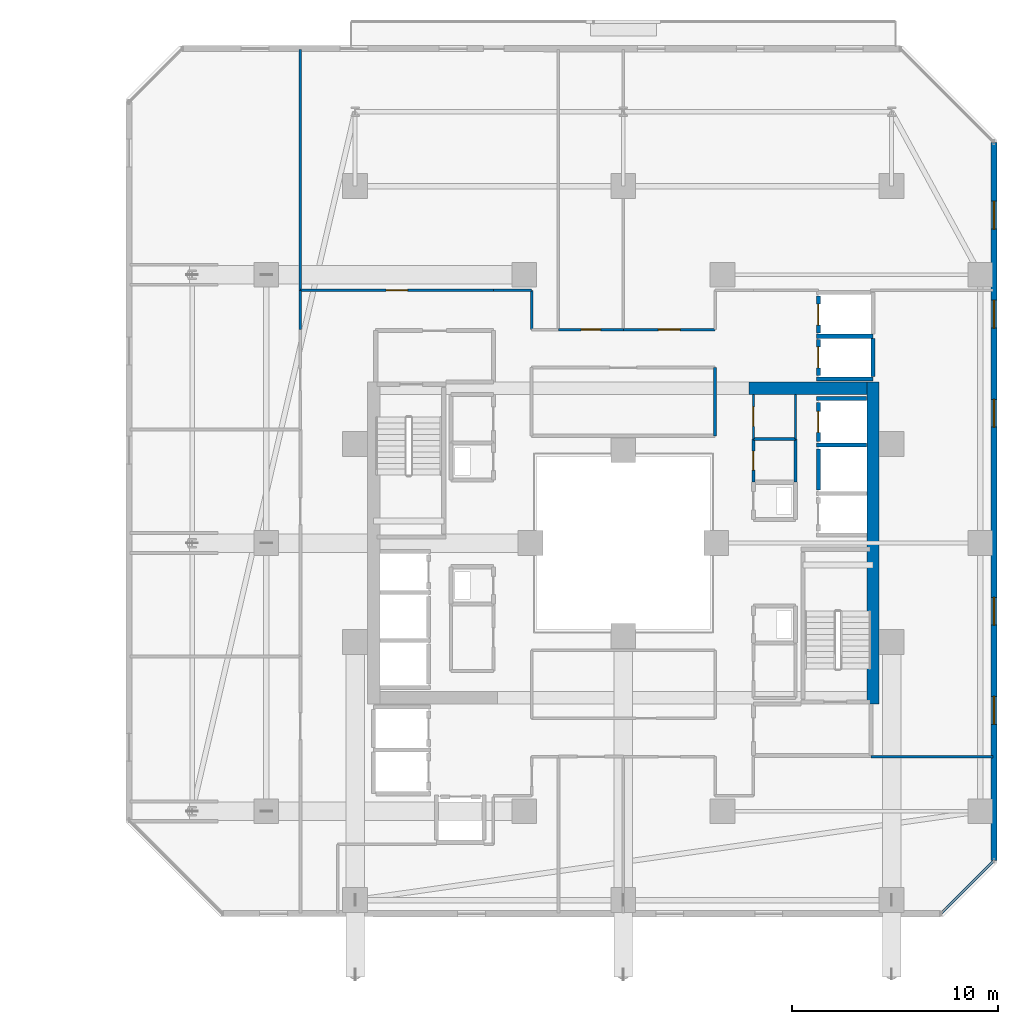
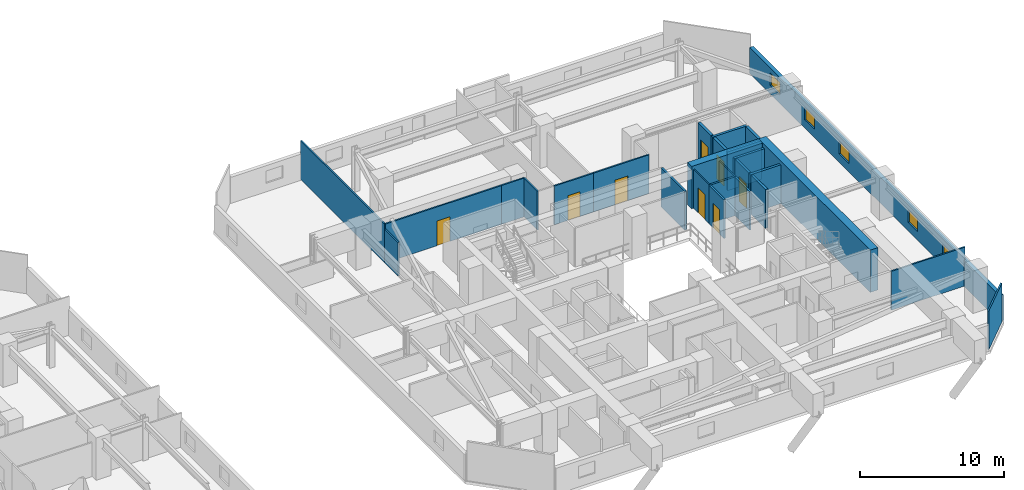
# One storey, part 28 of 36: 27 walls, 8 doors, 5 windows, 13 openings.
"""IFC4 building model written with IfcOpenShell, lengths in metres."""

from ifc_helpers import new_model, si_unit, direction, frame, frame_2d, origin, place, context, subcontext, project, spatial, rectangle, extrude, material, layer, layer_set, type_object, element, fill, save


model = new_model("IFC4")

# Units and contexts
model_context = context("Model", 3, precision=1e-05, world=origin(), true_north=direction((0.0, 1.0)))
body_context = subcontext(model_context, "Body", "Model", "MODEL_VIEW")
ifc_project = project(units=[si_unit("LENGTHUNIT", "METRE"), si_unit("AREAUNIT", "SQUARE_METRE"), si_unit("VOLUMEUNIT", "CUBIC_METRE"), si_unit("PLANEANGLEUNIT", "RADIAN"), si_unit("MASSUNIT", "GRAM", prefix="KILO")], contexts=[model_context])

# Site, building, storey
site_placement = place(None, origin())
site = spatial("IfcSite", under=ifc_project, at=site_placement, CompositionType="ELEMENT")
building_placement = place(site_placement, origin())
building = spatial("IfcBuilding", under=site, at=building_placement, Name="Thornwick Lancets Civic Towers", CompositionType="ELEMENT")
storey_placement = place(building_placement, frame((0.0, 0.0, 94.5)))
storey = spatial("IfcBuildingStorey", under=building, at=storey_placement, Name="L24", CompositionType="ELEMENT", Elevation=94.5)

# Wall
ifc_material_1 = material(Name="Concrete blockwork C40/50", Category="masonry")
ifc_layer_1 = layer(ifc_material_1, 0.199951171875, Name="Concrete blockwork C40/50")
ifc_layer_set_1 = layer_set([ifc_layer_1], Name="Concrete blockwork C40/50")
wall_type_1 = type_object("IfcWallType", Name="WALL_COMP_200", PredefinedType="STANDARD", material=ifc_layer_set_1)
wall_1_placement = place(storey_placement, frame((97.949951171875, 31.570068359375, 0.0), z_axis=(0.0, 0.0, 1.0), x_axis=(0.0, -1.0, 0.0)))
element("IfcWall", 1, at=wall_1_placement, inside=storey, type_object=wall_type_1, Name="L24 Hoistway Front Wall PL-BH1", PredefinedType="STANDARD", context=body_context, shape_type="SweptSolid", body=[
    extrude(rectangle(XDim=1.989990234375, YDim=0.199951171875, at=frame_2d((0.9951171875, 0.0))), origin(), (0.0, 0.0, 1.0), 3.300048828125),
])

# Wall, opening, door
wall_2_placement = place(storey_placement, frame((97.949951171875, 33.820068359375, 0.0), z_axis=(0.0, 0.0, 1.0), x_axis=(0.0, -1.0, 0.0)))
wall_2 = element("IfcWall", 2, at=wall_2_placement, inside=storey, type_object=wall_type_1, Name="L24 Hoistway Front Wall PL-BL1", PredefinedType="STANDARD", context=body_context, shape_type="SweptSolid", body=[
    extrude(rectangle(XDim=1.89013671875, YDim=0.199951171875, at=frame_2d((0.945068359375, 0.0))), origin(), (0.0, 0.0, 1.0), 3.300048828125),
])
opening_1_placement = place(wall_2_placement, frame((0.43505859375, 0.0, 0.0)))
opening_1 = element("IfcOpeningElement", 3, at=opening_1_placement, cuts=wall_2, Name="Opening LD-PL-BL1", PredefinedType="OPENING", context=body_context, shape_type="SweptSolid", body=[
    extrude(rectangle(XDim=1.02001953125, YDim=2.06005859375, at=frame_2d((0.510009765625, 1.030029296875))), frame((0.0, 0.10986328125, 0.0), z_axis=(0.0, -1.0, 0.0), x_axis=(1.0, 0.0, 0.0)), (0.0, 0.0, 1.0), 0.219970703125),
])
ifc_material_2 = material(Name="Brushed bronze stainless steel", Category="steel")
door_type_1 = type_object("IfcDoorType", Name="DOOR_LIFT_SLIDE", OperationType="SLIDING_TO_LEFT", PredefinedType="DOOR", material=ifc_material_2)
door_1_placement = place(opening_1_placement, origin())
door_1 = element("IfcDoor", 4, at=door_1_placement, inside=storey, type_object=door_type_1, Name="L24 Sliding Lift Landing Door LD-PL-BL1", OperationType="SLIDING_TO_LEFT", OverallHeight=2.06005859375, OverallWidth=1.02001953125, PredefinedType="DOOR", context=body_context, shape_type="SweptSolid", body=[
    extrude(rectangle(XDim=1.02001953125, YDim=2.06005859375, at=frame_2d((0.510009765625, 1.030029296875))), frame((0.0, 0.02490234375, 0.0), z_axis=(0.0, -1.0, 0.0), x_axis=(1.0, 0.0, 0.0)), (0.0, 0.0, 1.0), 0.050048828125),
])
fill(opening_1, door_1)

wall_3_placement = place(storey_placement, frame((97.949951171875, 36.8701171875, 0.0), z_axis=(0.0, 0.0, 1.0), x_axis=(0.0, -1.0, 0.0)))
wall_3 = element("IfcWall", 5, at=wall_3_placement, inside=storey, type_object=wall_type_1, Name="L24 Hoistway Front Wall PL-BL2", PredefinedType="STANDARD", context=body_context, shape_type="SweptSolid", body=[
    extrude(rectangle(XDim=1.740234375, YDim=0.199951171875, at=frame_2d((0.8701171875, 0.0))), origin(), (0.0, 0.0, 1.0), 3.300048828125),
])
opening_2_placement = place(wall_3_placement, frame((0.360107421875, 0.0, 0.0)))
opening_2 = element("IfcOpeningElement", 6, at=opening_2_placement, cuts=wall_3, Name="Opening LD-PL-BL2", PredefinedType="OPENING", context=body_context, shape_type="SweptSolid", body=[
    extrude(rectangle(XDim=1.02001953125, YDim=2.06005859375, at=frame_2d((0.510009765625, 1.030029296875))), frame((0.0, 0.10986328125, 0.0), z_axis=(0.0, -1.0, 0.0), x_axis=(1.0, 0.0, 0.0)), (0.0, 0.0, 1.0), 0.219970703125),
])
door_2_placement = place(opening_2_placement, origin())
door_2 = element("IfcDoor", 7, at=door_2_placement, inside=storey, type_object=door_type_1, Name="L24 Sliding Lift Landing Door LD-PL-BL2", OperationType="SLIDING_TO_LEFT", OverallHeight=2.06005859375, OverallWidth=1.02001953125, PredefinedType="DOOR", context=body_context, shape_type="SweptSolid", body=[
    extrude(rectangle(XDim=1.02001953125, YDim=2.06005859375, at=frame_2d((0.510009765625, 1.030029296875))), frame((0.0, 0.02490234375, 0.0), z_axis=(0.0, -1.0, 0.0), x_axis=(1.0, 0.0, 0.0)), (0.0, 0.0, 1.0), 0.050048828125),
])
fill(opening_2, door_2)

wall_4_placement = place(storey_placement, frame((97.949951171875, 38.969970703125, 0.0), z_axis=(0.0, 0.0, 1.0), x_axis=(0.0, -1.0, 0.0)))
wall_4 = element("IfcWall", 8, at=wall_4_placement, inside=storey, type_object=wall_type_1, Name="L24 Hoistway Front Wall PL-BL3", PredefinedType="STANDARD", context=body_context, shape_type="SweptSolid", body=[
    extrude(rectangle(XDim=1.7900390625, YDim=0.199951171875, at=frame_2d((0.89501953125, 0.0))), origin(), (0.0, 0.0, 1.0), 3.300048828125),
])
opening_3_placement = place(wall_4_placement, frame((0.385009765625, 0.0, 0.0)))
opening_3 = element("IfcOpeningElement", 9, at=opening_3_placement, cuts=wall_4, Name="Opening LD-PL-BL3", PredefinedType="OPENING", context=body_context, shape_type="SweptSolid", body=[
    extrude(rectangle(XDim=1.02001953125, YDim=2.06005859375, at=frame_2d((0.510009765625, 1.030029296875))), frame((0.0, 0.10986328125, 0.0), z_axis=(0.0, -1.0, 0.0), x_axis=(1.0, 0.0, 0.0)), (0.0, 0.0, 1.0), 0.219970703125),
])
door_3_placement = place(opening_3_placement, origin())
door_3 = element("IfcDoor", 10, at=door_3_placement, inside=storey, type_object=door_type_1, Name="L24 Sliding Lift Landing Door LD-PL-BL3", OperationType="SLIDING_TO_LEFT", OverallHeight=2.06005859375, OverallWidth=1.02001953125, PredefinedType="DOOR", context=body_context, shape_type="SweptSolid", body=[
    extrude(rectangle(XDim=1.02001953125, YDim=2.06005859375, at=frame_2d((0.510009765625, 1.030029296875))), frame((0.0, 0.02490234375, 0.0), z_axis=(0.0, -1.0, 0.0), x_axis=(1.0, 0.0, 0.0)), (0.0, 0.0, 1.0), 0.050048828125),
])
fill(opening_3, door_3)

# Walls
for number, where, z_axis, x_axis, name in (
    (11, (97.85205078125, 31.75, 0.0), (0.0, 0.0, 1.0), (1.0, 0.0, 0.0), "L24 Hoistway Shaft Wall PL-BH1 N"),
    (12, (97.85205078125, 34.0, 0.0), (0.0, 0.0, 1.0), (1.0, 0.0, 0.0), "L24 Hoistway Shaft Wall PL-BL1 N"),
):
    element("IfcWall", number, at=place(storey_placement, frame(where, z_axis=z_axis, x_axis=x_axis)), inside=storey, type_object=wall_type_1, Name=name, PredefinedType="STANDARD", context=body_context, shape_type="SweptSolid", body=[
        extrude(rectangle(XDim=2.43603515625, YDim=0.199951171875, at=frame_2d((1.218017578125, 0.0))), origin(), (0.0, 0.0, 1.0), 3.300048828125),
    ])
for number, where, z_axis, x_axis, name in (
    (13, (97.85205078125, 37.02490234375, 0.0), (0.0, 0.0, 1.0), (1.0, 0.0, 0.0), "L24 Hoistway Shaft Wall PL-BL2 N"),
    (14, (97.85205078125, 34.949951171875, 0.0), (0.0, 0.0, 1.0), (1.0, 0.0, 0.0), "L24 Hoistway Shaft Wall PL-BL2 S"),
):
    element("IfcWall", number, at=place(storey_placement, frame(where, z_axis=z_axis, x_axis=x_axis)), inside=storey, type_object=wall_type_1, Name=name, PredefinedType="STANDARD", context=body_context, shape_type="SweptSolid", body=[
        extrude(rectangle(XDim=2.745849609375, YDim=0.199951171875, at=frame_2d((1.373046875, 0.0))), origin(), (0.0, 0.0, 1.0), 3.300048828125),
    ])
wall_5_placement = place(storey_placement, frame((100.60009765625, 35.06201171875, 0.0), z_axis=(0.0, 0.0, 1.0), x_axis=(0.0, 1.0, 0.0)))
element("IfcWall", 15, at=wall_5_placement, inside=storey, type_object=wall_type_1, Name="L24 Hoistway Shaft Wall PL-BL2 E", PredefinedType="STANDARD", context=body_context, shape_type="SweptSolid", body=[
    extrude(rectangle(XDim=1.85595703125, YDim=0.199951171875, at=frame_2d((0.927978515625, 0.0))), origin(), (0.0, 0.0, 1.0), 3.300048828125),
])
ifc_material_3 = material(Name="Concrete C60/75", Category="concrete")
ifc_layer_2 = layer(ifc_material_3, 0.60009765625, Name="Concrete C60/75")
ifc_layer_set_2 = layer_set([ifc_layer_2], Name="Concrete C60/75")
wall_type_2 = type_object("IfcWallType", Name="WALL_CORE_600", PredefinedType="SHEAR", material=ifc_layer_set_2)
wall_6_placement = place(storey_placement, frame((100.60009765625, 19.199951171875, 0.0), z_axis=(0.0, 0.0, 1.0), x_axis=(0.0, 1.0, 0.0)))
element("IfcWall", 16, at=wall_6_placement, inside=storey, type_object=wall_type_2, Name="L24 Split Core B1 Shear Wall E", PredefinedType="SHEAR", context=body_context, shape_type="SweptSolid", body=[
    extrude(rectangle(XDim=15.60009765625, YDim=0.60009765625, at=frame_2d((7.800048828125, 0.0))), origin(), (0.0, 0.0, 1.0), 3.60009765625),
])
wall_7_placement = place(storey_placement, frame((94.60009765625, 34.5, 0.0), z_axis=(0.0, 0.0, 1.0), x_axis=(1.0, 0.0, 0.0)))
element("IfcWall", 17, at=wall_7_placement, inside=storey, type_object=wall_type_2, Name="L24 Split Core B1 Shear Wall N", PredefinedType="SHEAR", context=body_context, shape_type="SweptSolid", body=[
    extrude(rectangle(XDim=5.699951171875, YDim=0.60009765625, at=frame_2d((2.85009765625, 0.0))), origin(), (0.0, 0.0, 1.0), 3.60009765625),
])

# Wall, openings, windows
ifc_material_4 = material(Name="Insulated russet terracotta rainscreen on concrete C40/50", Category="masonry")
ifc_layer_3 = layer(ifc_material_4, 0.300048828125, Name="Insulated russet terracotta rainscreen on concrete C40/50")
ifc_layer_set_3 = layer_set([ifc_layer_3], Name="Insulated russet terracotta rainscreen on concrete C40/50")
wall_type_3 = type_object("IfcWallType", Name="WALL_EXT_RUSSET_300", PredefinedType="STANDARD", material=ifc_layer_set_3)
wall_8_placement = place(storey_placement, frame((106.464599609375, 11.61865234375, 0.0), z_axis=(0.0, 0.0, 1.0), x_axis=(-0.000182370391, 0.999999983371, 0.0)))
wall_8 = element("IfcWall", 18, at=wall_8_placement, inside=storey, type_object=wall_type_3, Name="L24 Tower B Terracotta Facade Wall E2", PredefinedType="STANDARD", context=body_context, shape_type="SweptSolid", body=[
    extrude(rectangle(XDim=34.806396484375, YDim=0.300048828125, at=frame_2d((17.4033203125, 0.0))), origin(), (0.0, 0.0, 1.0), 2.219970703125),
])
opening_4_placement = place(wall_8_placement, frame((6.60009765625, 0.0, 0.719970703125)))
opening_4 = element("IfcOpeningElement", 19, at=opening_4_placement, cuts=wall_8, Name="Opening WL-03", PredefinedType="OPENING", context=body_context, shape_type="SweptSolid", body=[
    extrude(rectangle(XDim=1.35009765625, YDim=1.050048828125, at=frame_2d((0.675048828125, 0.52490234375))), frame((0.0, 0.16015625, 0.0), z_axis=(0.0, -1.0, 0.0), x_axis=(1.0, 0.0, 0.0)), (0.0, 0.0, 1.0), 0.320068359375),
])
opening_5_placement = place(wall_8_placement, frame((11.39990234375, 0.0, 0.719970703125)))
opening_5 = element("IfcOpeningElement", 20, at=opening_5_placement, cuts=wall_8, Name="Opening WL-03", PredefinedType="OPENING", context=body_context, shape_type="SweptSolid", body=[
    extrude(rectangle(XDim=1.35009765625, YDim=1.050048828125, at=frame_2d((0.675048828125, 0.52490234375))), frame((0.0, 0.16015625, 0.0), z_axis=(0.0, -1.0, 0.0), x_axis=(1.0, 0.0, 0.0)), (0.0, 0.0, 1.0), 0.320068359375),
])
opening_6_placement = place(wall_8_placement, frame((21.0, 0.0, 0.719970703125)))
opening_6 = element("IfcOpeningElement", 21, at=opening_6_placement, cuts=wall_8, Name="Opening WL-03", PredefinedType="OPENING", context=body_context, shape_type="SweptSolid", body=[
    extrude(rectangle(XDim=1.35009765625, YDim=1.050048828125, at=frame_2d((0.675048828125, 0.52490234375))), frame((0.0, 0.16015625, 0.0), z_axis=(0.0, -1.0, 0.0), x_axis=(1.0, 0.0, 0.0)), (0.0, 0.0, 1.0), 0.320068359375),
])
opening_7_placement = place(wall_8_placement, frame((25.800048828125, 0.0, 0.719970703125)))
opening_7 = element("IfcOpeningElement", 22, at=opening_7_placement, cuts=wall_8, Name="Opening WL-03", PredefinedType="OPENING", context=body_context, shape_type="SweptSolid", body=[
    extrude(rectangle(XDim=1.35009765625, YDim=1.050048828125, at=frame_2d((0.675048828125, 0.52490234375))), frame((0.0, 0.16015625, 0.0), z_axis=(0.0, -1.0, 0.0), x_axis=(1.0, 0.0, 0.0)), (0.0, 0.0, 1.0), 0.320068359375),
])
opening_8_placement = place(wall_8_placement, frame((30.60009765625, 0.0, 0.719970703125)))
opening_8 = element("IfcOpeningElement", 23, at=opening_8_placement, cuts=wall_8, Name="Opening WL-03", PredefinedType="OPENING", context=body_context, shape_type="SweptSolid", body=[
    extrude(rectangle(XDim=1.35009765625, YDim=1.050048828125, at=frame_2d((0.675048828125, 0.52490234375))), frame((0.0, 0.16015625, 0.0), z_axis=(0.0, -1.0, 0.0), x_axis=(1.0, 0.0, 0.0)), (0.0, 0.0, 1.0), 0.320068359375),
])
ifc_material_5 = material(Name="Clear low-e double glazing clerestory lancet", Category="glass")
window_type = type_object("IfcWindowType", Name="WIN_LANCET_1350", PartitioningType="SINGLE_PANEL", PredefinedType="WINDOW", material=ifc_material_5)
window_1_placement = place(opening_4_placement, origin())
window_1 = element("IfcWindow", 24, at=window_1_placement, inside=storey, type_object=window_type, Name="L24 Tower B Staggered Lancet Window E2-1", OverallHeight=1.050048828125, OverallWidth=1.35009765625, PartitioningType="SINGLE_PANEL", PredefinedType="WINDOW", context=body_context, shape_type="SweptSolid", body=[
    extrude(rectangle(XDim=1.35009765625, YDim=1.050048828125, at=frame_2d((0.675048828125, 0.52490234375))), frame((0.0, 0.030029296875, 0.0), z_axis=(0.0, -1.0, 0.0), x_axis=(1.0, 0.0, 0.0)), (0.0, 0.0, 1.0), 0.06005859375),
])
fill(opening_4, window_1)
window_2_placement = place(opening_5_placement, origin())
window_2 = element("IfcWindow", 25, at=window_2_placement, inside=storey, type_object=window_type, Name="L24 Tower B Staggered Lancet Window E2-2", OverallHeight=1.050048828125, OverallWidth=1.35009765625, PartitioningType="SINGLE_PANEL", PredefinedType="WINDOW", context=body_context, shape_type="SweptSolid", body=[
    extrude(rectangle(XDim=1.35009765625, YDim=1.050048828125, at=frame_2d((0.675048828125, 0.52490234375))), frame((0.0, 0.030029296875, 0.0), z_axis=(0.0, -1.0, 0.0), x_axis=(1.0, 0.0, 0.0)), (0.0, 0.0, 1.0), 0.06005859375),
])
fill(opening_5, window_2)
window_3_placement = place(opening_6_placement, origin())
window_3 = element("IfcWindow", 26, at=window_3_placement, inside=storey, type_object=window_type, Name="L24 Tower B Staggered Lancet Window E2-3", OverallHeight=1.050048828125, OverallWidth=1.35009765625, PartitioningType="SINGLE_PANEL", PredefinedType="WINDOW", context=body_context, shape_type="SweptSolid", body=[
    extrude(rectangle(XDim=1.35009765625, YDim=1.050048828125, at=frame_2d((0.675048828125, 0.52490234375))), frame((0.0, 0.030029296875, 0.0), z_axis=(0.0, -1.0, 0.0), x_axis=(1.0, 0.0, 0.0)), (0.0, 0.0, 1.0), 0.06005859375),
])
fill(opening_6, window_3)
window_4_placement = place(opening_7_placement, origin())
window_4 = element("IfcWindow", 27, at=window_4_placement, inside=storey, type_object=window_type, Name="L24 Tower B Staggered Lancet Window E2-4", OverallHeight=1.050048828125, OverallWidth=1.35009765625, PartitioningType="SINGLE_PANEL", PredefinedType="WINDOW", context=body_context, shape_type="SweptSolid", body=[
    extrude(rectangle(XDim=1.35009765625, YDim=1.050048828125, at=frame_2d((0.675048828125, 0.52490234375))), frame((0.0, 0.030029296875, 0.0), z_axis=(0.0, -1.0, 0.0), x_axis=(1.0, 0.0, 0.0)), (0.0, 0.0, 1.0), 0.06005859375),
])
fill(opening_7, window_4)
window_5_placement = place(opening_8_placement, origin())
window_5 = element("IfcWindow", 28, at=window_5_placement, inside=storey, type_object=window_type, Name="L24 Tower B Staggered Lancet Window E2-5", OverallHeight=1.050048828125, OverallWidth=1.35009765625, PartitioningType="SINGLE_PANEL", PredefinedType="WINDOW", context=body_context, shape_type="SweptSolid", body=[
    extrude(rectangle(XDim=1.35009765625, YDim=1.050048828125, at=frame_2d((0.675048828125, 0.52490234375))), frame((0.0, 0.030029296875, 0.0), z_axis=(0.0, -1.0, 0.0), x_axis=(1.0, 0.0, 0.0)), (0.0, 0.0, 1.0), 0.06005859375),
])
fill(opening_8, window_5)

# Wall, opening, door
ifc_material_6 = material(Name="Lightweight cellular office partition")
ifc_layer_4 = layer(ifc_material_6, 0.10009765625, Name="Lightweight cellular office partition")
ifc_layer_set_4 = layer_set([ifc_layer_4], Name="Lightweight cellular office partition")
wall_type_4 = type_object("IfcWallType", Name="WALL_PART_100", PredefinedType="PARTITIONING", material=ifc_layer_set_4)
wall_9_placement = place(storey_placement, frame((94.800048828125, 32.050048828125, 0.0), z_axis=(0.0, 0.0, 1.0), x_axis=(0.0, 1.0, 0.0)))
wall_9 = element("IfcWall", 29, at=wall_9_placement, inside=storey, type_object=wall_type_4, Name="L24 Partition L24-B-CLN E1", PredefinedType="PARTITIONING", context=body_context, shape_type="SweptSolid", body=[
    extrude(rectangle(XDim=2.14990234375, YDim=0.10009765625, at=frame_2d((1.074951171875, 0.0))), origin(), (0.0, 0.0, 1.0), 3.300048828125),
])
opening_9_placement = place(wall_9_placement, frame((0.60009765625, 0.0, 0.0)))
opening_9 = element("IfcOpeningElement", 30, at=opening_9_placement, cuts=wall_9, Name="Opening D-L24-1126", PredefinedType="OPENING", context=body_context, shape_type="SweptSolid", body=[
    extrude(rectangle(XDim=0.949951171875, YDim=2.10009765625, at=frame_2d((0.47509765625, 1.050048828125))), frame((0.0, 0.06005859375, 0.0), z_axis=(0.0, -1.0, 0.0), x_axis=(1.0, 0.0, 0.0)), (0.0, 0.0, 1.0), 0.1201171875),
])
ifc_material_7 = material(Name="European oak acoustic doorset")
door_type_2 = type_object("IfcDoorType", Name="DOOR_OFFICE_950", OperationType="NOTDEFINED", PredefinedType="DOOR", material=ifc_material_7)
door_4_placement = place(opening_9_placement, origin())
door_4 = element("IfcDoor", 31, at=door_4_placement, inside=storey, type_object=door_type_2, Name="L24 Tower B Cleaners Store Door", OperationType="SINGLE_SWING_LEFT", OverallHeight=2.10009765625, OverallWidth=0.949951171875, PredefinedType="DOOR", context=body_context, shape_type="SweptSolid", body=[
    extrude(rectangle(XDim=0.949951171875, YDim=2.10009765625, at=frame_2d((0.47509765625, 1.050048828125))), frame((0.0, 0.02490234375, 0.0), z_axis=(0.0, -1.0, 0.0), x_axis=(1.0, 0.0, 0.0)), (0.0, 0.0, 1.0), 0.050048828125),
])
fill(opening_9, door_4)

# Walls
wall_10_placement = place(storey_placement, frame((96.85009765625, 34.199951171875, 0.0), z_axis=(0.0, 0.0, 1.0), x_axis=(0.0, -1.0, 0.0)))
element("IfcWall", 32, at=wall_10_placement, inside=storey, type_object=wall_type_4, Name="L24 Partition L24-B-CLN E3", PredefinedType="PARTITIONING", context=body_context, shape_type="SweptSolid", body=[
    extrude(rectangle(XDim=2.14990234375, YDim=0.10009765625, at=frame_2d((1.074951171875, 0.0))), origin(), (0.0, 0.0, 1.0), 3.300048828125),
])
ifc_material_8 = material(Name="Acoustic gypsum board partition")
ifc_layer_5 = layer(ifc_material_8, 0.1201171875, Name="Acoustic gypsum board partition")
ifc_layer_set_5 = layer_set([ifc_layer_5], Name="Acoustic gypsum board partition")
wall_type_5 = type_object("IfcWallType", Name="WALL_PART_120", PredefinedType="PARTITIONING", material=ifc_layer_set_5)
wall_11_placement = place(storey_placement, frame((100.5, 16.64990234375, 0.0), z_axis=(0.0, 0.0, 1.0), x_axis=(1.0, 0.0, 0.0)))
element("IfcWall", 33, at=wall_11_placement, inside=storey, type_object=wall_type_5, Name="L24 Partition L24-B-W1 E4", PredefinedType="PARTITIONING", context=body_context, shape_type="SweptSolid", body=[
    extrude(rectangle(XDim=5.919921875, YDim=0.1201171875, at=frame_2d((2.9599609375, 0.0))), origin(), (0.0, 0.0, 1.0), 3.300048828125),
])
wall_12_placement = place(storey_placement, frame((106.419921875, 11.57470703125, 0.0), z_axis=(0.0, 0.0, 1.0), x_axis=(-0.707106781187, -0.707106781187, 0.0)))
element("IfcWall", 34, at=wall_12_placement, inside=storey, type_object=wall_type_5, Name="L24 Partition L24-B-W1 E6", PredefinedType="PARTITIONING", context=body_context, shape_type="SweptSolid", body=[
    extrude(rectangle(XDim=3.52783203125, YDim=0.1201171875, at=frame_2d((1.763916015625, 0.0))), origin(), (0.0, 0.0, 1.0), 3.300048828125),
])

# Wall, opening, door
wall_13_placement = place(storey_placement, frame((92.949951171875, 37.35009765625, 0.0), z_axis=(0.0, 0.0, 1.0), x_axis=(-1.0, 0.0, 0.0)))
wall_13 = element("IfcWall", 35, at=wall_13_placement, inside=storey, type_object=wall_type_5, Name="L24 Partition L24-B-E1 E6", PredefinedType="PARTITIONING", context=body_context, shape_type="SweptSolid", body=[
    extrude(rectangle(XDim=4.449951171875, YDim=0.1201171875, at=frame_2d((2.22509765625, 0.0))), origin(), (0.0, 0.0, 1.0), 3.300048828125),
])
opening_10_placement = place(wall_13_placement, frame((1.699951171875, 0.0, 0.0)))
opening_10 = element("IfcOpeningElement", 36, at=opening_10_placement, cuts=wall_13, Name="Opening D-L24-1143", PredefinedType="OPENING", context=body_context, shape_type="SweptSolid", body=[
    extrude(rectangle(XDim=1.050048828125, YDim=2.10009765625, at=frame_2d((0.52490234375, 1.050048828125))), frame((0.0, 0.070068359375, 0.0), z_axis=(0.0, -1.0, 0.0), x_axis=(1.0, 0.0, 0.0)), (0.0, 0.0, 1.0), 0.14013671875),
])
ifc_material_9 = material(Name="Glazed European oak executive doorset")
door_type_3 = type_object("IfcDoorType", Name="DOOR_OFFICE_1050", OperationType="NOTDEFINED", PredefinedType="DOOR", material=ifc_material_9)
door_5_placement = place(opening_10_placement, origin())
door_5 = element("IfcDoor", 37, at=door_5_placement, inside=storey, type_object=door_type_3, Name="L24 Tower B Secretariat Open Office E1 Door", OperationType="SINGLE_SWING_RIGHT", OverallHeight=2.10009765625, OverallWidth=1.050048828125, PredefinedType="DOOR", context=body_context, shape_type="SweptSolid", body=[
    extrude(rectangle(XDim=1.050048828125, YDim=2.10009765625, at=frame_2d((0.52490234375, 1.050048828125))), frame((0.0, 0.02490234375, 0.0), z_axis=(0.0, -1.0, 0.0), x_axis=(1.0, 0.0, 0.0)), (0.0, 0.0, 1.0), 0.050048828125),
])
fill(opening_10, door_5)

wall_14_placement = place(storey_placement, frame((88.5, 37.35009765625, 0.0), z_axis=(0.0, 0.0, 1.0), x_axis=(-1.0, 0.0, 0.0)))
wall_14 = element("IfcWall", 38, at=wall_14_placement, inside=storey, type_object=wall_type_5, Name="L24 Partition L24-B-E2 E4", PredefinedType="PARTITIONING", context=body_context, shape_type="SweptSolid", body=[
    extrude(rectangle(XDim=3.14990234375, YDim=0.1201171875, at=frame_2d((1.574951171875, 0.0))), origin(), (0.0, 0.0, 1.0), 3.300048828125),
])
opening_11_placement = place(wall_14_placement, frame((1.10009765625, 0.0, 0.0)))
opening_11 = element("IfcOpeningElement", 39, at=opening_11_placement, cuts=wall_14, Name="Opening D-L24-1144", PredefinedType="OPENING", context=body_context, shape_type="SweptSolid", body=[
    extrude(rectangle(XDim=0.949951171875, YDim=2.10009765625, at=frame_2d((0.47509765625, 1.050048828125))), frame((0.0, 0.070068359375, 0.0), z_axis=(0.0, -1.0, 0.0), x_axis=(1.0, 0.0, 0.0)), (0.0, 0.0, 1.0), 0.14013671875),
])
door_6_placement = place(opening_11_placement, origin())
door_6 = element("IfcDoor", 40, at=door_6_placement, inside=storey, type_object=door_type_2, Name="L24 Tower B Visitors Reception and Waiting Door", OperationType="SINGLE_SWING_LEFT", OverallHeight=2.10009765625, OverallWidth=0.949951171875, PredefinedType="DOOR", context=body_context, shape_type="SweptSolid", body=[
    extrude(rectangle(XDim=0.949951171875, YDim=2.10009765625, at=frame_2d((0.47509765625, 1.050048828125))), frame((0.0, 0.02490234375, 0.0), z_axis=(0.0, -1.0, 0.0), x_axis=(1.0, 0.0, 0.0)), (0.0, 0.0, 1.0), 0.050048828125),
])
fill(opening_11, door_6)

# Walls
wall_15_placement = place(storey_placement, frame((84.050048828125, 37.35009765625, 0.0), z_axis=(0.0, 0.0, 1.0), x_axis=(0.0, 1.0, 0.0)))
element("IfcWall", 41, at=wall_15_placement, inside=storey, type_object=wall_type_5, Name="L24 Partition L24-B-E3 E1", PredefinedType="PARTITIONING", context=body_context, shape_type="SweptSolid", body=[
    extrude(rectangle(XDim=1.89990234375, YDim=0.1201171875, at=frame_2d((0.949951171875, 0.0))), origin(), (0.0, 0.0, 1.0), 3.300048828125),
])
wall_16_placement = place(storey_placement, frame((84.050048828125, 39.25, 0.0), z_axis=(0.0, 0.0, 1.0), x_axis=(-1.0, 0.0, 0.0)))
element("IfcWall", 42, at=wall_16_placement, inside=storey, type_object=wall_type_5, Name="L24 Partition L24-B-E3 E2", PredefinedType="PARTITIONING", context=body_context, shape_type="SweptSolid", body=[
    extrude(rectangle(XDim=1.85009765625, YDim=0.1201171875, at=frame_2d((0.925048828125, 0.0))), origin(), (0.0, 0.0, 1.0), 3.300048828125),
])

# Wall, opening, door
wall_17_placement = place(storey_placement, frame((82.199951171875, 39.25, 0.0), z_axis=(0.0, 0.0, 1.0), x_axis=(-1.0, 0.0, 0.0)))
wall_17 = element("IfcWall", 43, at=wall_17_placement, inside=storey, type_object=wall_type_5, Name="L24 Partition L24-B-E3 E3", PredefinedType="PARTITIONING", context=body_context, shape_type="SweptSolid", body=[
    extrude(rectangle(XDim=9.349853515625, YDim=0.1201171875, at=frame_2d((4.6748046875, 0.0))), origin(), (0.0, 0.0, 1.0), 3.300048828125),
])
opening_12_placement = place(wall_17_placement, frame((4.14990234375, 0.0, 0.0)))
opening_12 = element("IfcOpeningElement", 44, at=opening_12_placement, cuts=wall_17, Name="Opening D-L24-1145", PredefinedType="OPENING", context=body_context, shape_type="SweptSolid", body=[
    extrude(rectangle(XDim=1.050048828125, YDim=2.10009765625, at=frame_2d((0.52490234375, 1.050048828125))), frame((0.0, 0.070068359375, 0.0), z_axis=(0.0, -1.0, 0.0), x_axis=(1.0, 0.0, 0.0)), (0.0, 0.0, 1.0), 0.14013671875),
])
door_7_placement = place(opening_12_placement, origin())
door_7 = element("IfcDoor", 45, at=door_7_placement, inside=storey, type_object=door_type_3, Name="L24 Tower B Civic Seminar Room Door", OperationType="SINGLE_SWING_RIGHT", OverallHeight=2.10009765625, OverallWidth=1.050048828125, PredefinedType="DOOR", context=body_context, shape_type="SweptSolid", body=[
    extrude(rectangle(XDim=1.050048828125, YDim=2.10009765625, at=frame_2d((0.52490234375, 1.050048828125))), frame((0.0, 0.02490234375, 0.0), z_axis=(0.0, -1.0, 0.0), x_axis=(1.0, 0.0, 0.0)), (0.0, 0.0, 1.0), 0.050048828125),
])
fill(opening_12, door_7)

# Walls
wall_18_placement = place(storey_placement, frame((72.85009765625, 39.25, 0.0), z_axis=(0.0, 0.0, 1.0), x_axis=(0.0, 1.0, 0.0)))
element("IfcWall", 46, at=wall_18_placement, inside=storey, type_object=wall_type_5, Name="L24 Partition L24-B-E3 E4", PredefinedType="PARTITIONING", context=body_context, shape_type="SweptSolid", body=[
    extrude(rectangle(XDim=11.669921875, YDim=0.1201171875, at=frame_2d((5.8349609375, 0.0))), origin(), (0.0, 0.0, 1.0), 3.300048828125),
])
wall_19_placement = place(storey_placement, frame((72.85009765625, 39.25, 0.0), z_axis=(0.0, 0.0, 1.0), x_axis=(0.0, -1.0, 0.0)))
element("IfcWall", 47, at=wall_19_placement, inside=storey, type_object=wall_type_5, Name="L24 Partition L24-B-N-OFF E9", PredefinedType="PARTITIONING", context=body_context, shape_type="SweptSolid", body=[
    extrude(rectangle(XDim=1.89990234375, YDim=0.1201171875, at=frame_2d((0.949951171875, 0.0))), origin(), (0.0, 0.0, 1.0), 2.85498046875),
])

# Wall, opening, door
ifc_material_10 = material(Name="Twin-stud acoustic gypsum board")
ifc_layer_6 = layer(ifc_material_10, 0.14990234375, Name="Twin-stud acoustic gypsum board")
ifc_layer_set_6 = layer_set([ifc_layer_6], Name="Twin-stud acoustic gypsum board")
wall_type_6 = type_object("IfcWallType", Name="WALL_PART_150", PredefinedType="PARTITIONING", material=ifc_layer_set_6)
wall_20_placement = place(storey_placement, frame((94.800048828125, 29.949951171875, 0.0), z_axis=(0.0, 0.0, 1.0), x_axis=(0.0, 1.0, 0.0)))
wall_20 = element("IfcWall", 48, at=wall_20_placement, inside=storey, type_object=wall_type_6, Name="L24 Partition L24-B-MWC E1", PredefinedType="PARTITIONING", context=body_context, shape_type="SweptSolid", body=[
    extrude(rectangle(XDim=2.10009765625, YDim=0.14990234375, at=frame_2d((1.050048828125, 0.0))), origin(), (0.0, 0.0, 1.0), 3.300048828125),
])
opening_13_placement = place(wall_20_placement, frame((0.590087890625, 0.0, 0.0)))
opening_13 = element("IfcOpeningElement", 49, at=opening_13_placement, cuts=wall_20, Name="Opening D-L24-1125", PredefinedType="OPENING", context=body_context, shape_type="SweptSolid", body=[
    extrude(rectangle(XDim=0.919921875, YDim=2.080078125, at=frame_2d((0.4599609375, 1.0400390625))), frame((0.0, 0.0849609375, 0.0), z_axis=(0.0, -1.0, 0.0), x_axis=(1.0, 0.0, 0.0)), (0.0, 0.0, 1.0), 0.169921875),
])
ifc_material_11 = material(Name="Moisture-resistant oak doorset")
door_type_4 = type_object("IfcDoorType", Name="DOOR_WC_900", OperationType="NOTDEFINED", PredefinedType="DOOR", material=ifc_material_11)
door_8_placement = place(opening_13_placement, origin())
door_8 = element("IfcDoor", 50, at=door_8_placement, inside=storey, type_object=door_type_4, Name="L24 Tower B Male WC Door", OperationType="SINGLE_SWING_RIGHT", OverallHeight=2.080078125, OverallWidth=0.919921875, PredefinedType="DOOR", context=body_context, shape_type="SweptSolid", body=[
    extrude(rectangle(XDim=0.919921875, YDim=2.080078125, at=frame_2d((0.4599609375, 1.0400390625))), frame((0.0, 0.02490234375, 0.0), z_axis=(0.0, -1.0, 0.0), x_axis=(1.0, 0.0, 0.0)), (0.0, 0.0, 1.0), 0.050048828125),
])
fill(opening_13, door_8)

# Walls
wall_21_placement = place(storey_placement, frame((94.800048828125, 32.050048828125, 0.0), z_axis=(0.0, 0.0, 1.0), x_axis=(1.0, 0.0, 0.0)))
element("IfcWall", 51, at=wall_21_placement, inside=storey, type_object=wall_type_6, Name="L24 Partition L24-B-MWC E2", PredefinedType="PARTITIONING", context=body_context, shape_type="SweptSolid", body=[
    extrude(rectangle(XDim=2.050048828125, YDim=0.14990234375, at=frame_2d((1.02490234375, 0.0))), origin(), (0.0, 0.0, 1.0), 3.300048828125),
])
wall_22_placement = place(storey_placement, frame((96.85009765625, 32.050048828125, 0.0), z_axis=(0.0, 0.0, 1.0), x_axis=(0.0, -1.0, 0.0)))
element("IfcWall", 52, at=wall_22_placement, inside=storey, type_object=wall_type_6, Name="L24 Partition L24-B-MWC E3", PredefinedType="PARTITIONING", context=body_context, shape_type="SweptSolid", body=[
    extrude(rectangle(XDim=2.10009765625, YDim=0.14990234375, at=frame_2d((1.050048828125, 0.0))), origin(), (0.0, 0.0, 1.0), 3.300048828125),
])
wall_23_placement = place(storey_placement, frame((92.949951171875, 35.5, 0.0), z_axis=(0.0, 0.0, 1.0), x_axis=(0.0, -1.0, 0.0)))
element("IfcWall", 53, at=wall_23_placement, inside=storey, type_object=wall_type_6, Name="L24 Partition L24-B-ATR-E E3", PredefinedType="PARTITIONING", context=body_context, shape_type="SweptSolid", body=[
    extrude(rectangle(XDim=3.300048828125, YDim=0.14990234375, at=frame_2d((1.64990234375, 0.0))), origin(), (0.0, 0.0, 1.0), 3.300048828125),
])

save(model, "model.ifc")
